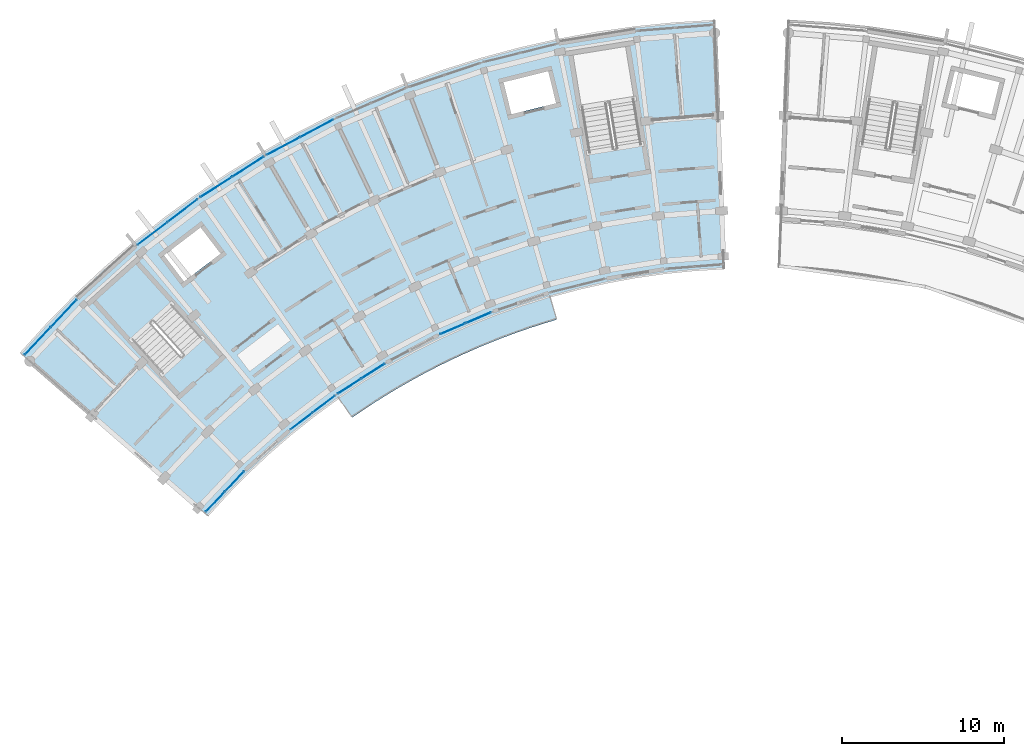
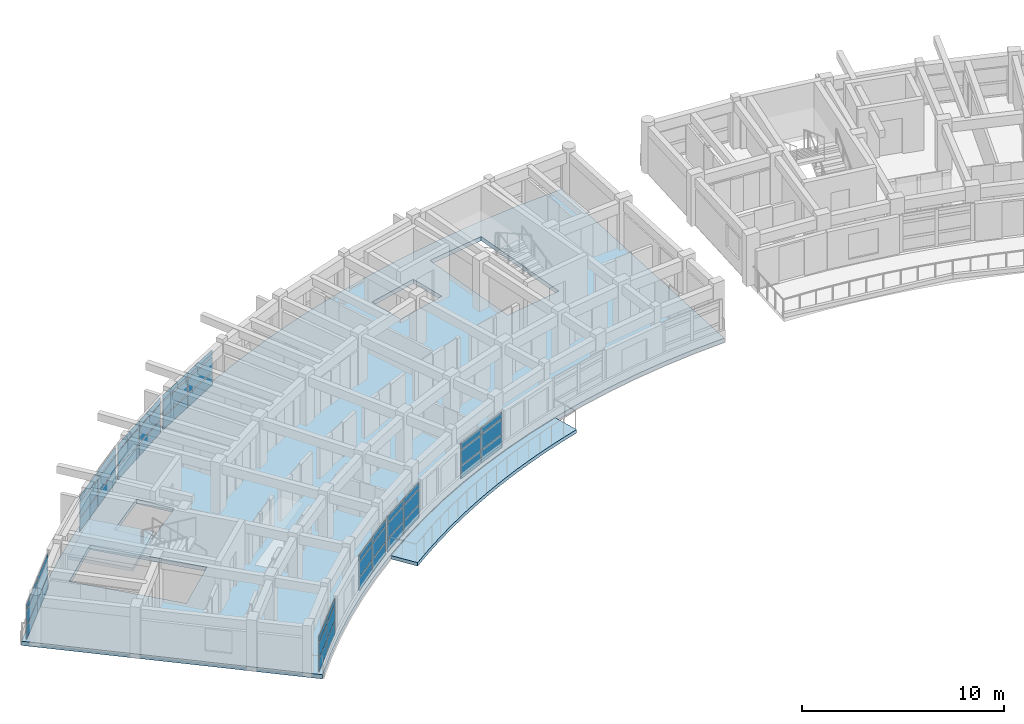
# One storey, part 15 of 38: 48 plates, 3 slabs, 9 elements without a shape of their own.
"""IFC4 building model written with IfcOpenShell, lengths in metres."""

from ifc_helpers import new_model, si_unit, direction, frame, origin, origin_2d, place, context, subcontext, project, spatial, polyline, rectangle, outline, extrude, material, layer, layer_set, type_object, element, aggregate, save


model = new_model("IFC4")

# Units and contexts
model_context = context("Model", 3, precision=1e-05, world=origin(), true_north=direction((0.0, 1.0)))
body_context = subcontext(model_context, "Body", "Model", "MODEL_VIEW")
ifc_project = project(units=[si_unit("LENGTHUNIT", "METRE"), si_unit("AREAUNIT", "SQUARE_METRE"), si_unit("VOLUMEUNIT", "CUBIC_METRE"), si_unit("PLANEANGLEUNIT", "RADIAN"), si_unit("MASSUNIT", "GRAM", prefix="KILO")], contexts=[model_context])

# Site, building, storey
site_placement = place(None, origin())
site = spatial("IfcSite", under=ifc_project, at=site_placement, CompositionType="ELEMENT")
building_placement = place(site_placement, origin())
building = spatial("IfcBuilding", under=site, at=building_placement, Name="Zimvara Arc Housing Community", CompositionType="ELEMENT")
storey_placement = place(building_placement, frame((0.0, 0.0, 29.800048828125)))
storey = spatial("IfcBuildingStorey", under=building, at=storey_placement, Name="L09", CompositionType="ELEMENT", Elevation=29.800048828125)

# Curtain wall, plates
ifc_material_1 = material(Name="Anodised Aluminium AW-6063", Category="aluminium")
curtain_wall_type_1 = type_object("IfcCurtainWallType", Name="CW-SYS-04", PredefinedType="USERDEFINED", material=ifc_material_1)
curtain_wall_1_placement = place(storey_placement, origin())
curtain_wall_1 = element("IfcCurtainWall", 1, at=curtain_wall_1_placement, inside=storey, type_object=curtain_wall_type_1, Name="cw:blkA:L09:in:b0", ObjectType="CURTAIN WALL", PredefinedType="USERDEFINED")
ifc_material_2 = material(Name="Pale-Gold Anodised Aluminium Spandrel Panel", Category="aluminium")
ifc_layer_1 = layer(ifc_material_2, 0.035888671875)
ifc_layer_set_1 = layer_set([ifc_layer_1], Name="Pale-Gold Anodised Aluminium Spandrel Panel")
plate_type_1 = type_object("IfcPlateType", Name="CWP-GLD-36", PredefinedType="CURTAIN_PANEL", material=ifc_layer_set_1)
plate_1_placement = place(storey_placement, frame((11.981689453125, 74.469482421875, 0.06494140625), z_axis=(0.0, 0.0, 1.0), x_axis=(0.686326805658, 0.727293280483, 0.0)))
plate_1 = element("IfcPlate", 2, at=plate_1_placement, type_object=plate_type_1, Name="CW04 panel 1.1", PredefinedType="CURTAIN_PANEL", context=body_context, shape_type="SweptSolid", body=[
    extrude(rectangle(XDim=1.664306640625, YDim=0.035888671875, at=origin_2d()), origin(), (0.0, 0.0, 1.0), 0.75244140625),
])
plate_2_placement = place(storey_placement, frame((11.981689453125, 74.469482421875, 0.88232421875), z_axis=(0.0, 0.0, 1.0), x_axis=(0.686326805658, 0.727293280483, 0.0)))
plate_2 = element("IfcPlate", 3, at=plate_2_placement, type_object=plate_type_1, Name="CW04 panel 1.2", PredefinedType="CURTAIN_PANEL", context=body_context, shape_type="SweptSolid", body=[
    extrude(rectangle(XDim=1.664306640625, YDim=0.035888671875, at=origin_2d()), origin(), (0.0, 0.0, 1.0), 0.885009765625),
])
plate_3_placement = place(storey_placement, frame((11.981689453125, 74.469482421875, 1.83251953125), z_axis=(0.0, 0.0, 1.0), x_axis=(0.686326805658, 0.727293280483, 0.0)))
plate_3 = element("IfcPlate", 4, at=plate_3_placement, type_object=plate_type_1, Name="CW04 panel 1.3", PredefinedType="CURTAIN_PANEL", context=body_context, shape_type="SweptSolid", body=[
    extrude(rectangle(XDim=1.664306640625, YDim=0.035888671875, at=origin_2d()), origin(), (0.0, 0.0, 1.0), 0.3525390625),
])
plate_4_placement = place(storey_placement, frame((13.168701171875, 75.727294921875, 0.06494140625), z_axis=(0.0, 0.0, 1.0), x_axis=(0.686326805658, 0.727293280483, 0.0)))
plate_4 = element("IfcPlate", 5, at=plate_4_placement, type_object=plate_type_1, Name="CW04 panel 2.1", PredefinedType="CURTAIN_PANEL", context=body_context, shape_type="SweptSolid", body=[
    extrude(rectangle(XDim=1.664306640625, YDim=0.035888671875, at=origin_2d()), origin(), (0.0, 0.0, 1.0), 0.75244140625),
])
plate_5_placement = place(storey_placement, frame((13.168701171875, 75.727294921875, 0.88232421875), z_axis=(0.0, 0.0, 1.0), x_axis=(0.686326805658, 0.727293280483, 0.0)))
plate_5 = element("IfcPlate", 6, at=plate_5_placement, type_object=plate_type_1, Name="CW04 panel 2.2", PredefinedType="CURTAIN_PANEL", context=body_context, shape_type="SweptSolid", body=[
    extrude(rectangle(XDim=1.664306640625, YDim=0.035888671875, at=origin_2d()), origin(), (0.0, 0.0, 1.0), 0.885009765625),
])
plate_6_placement = place(storey_placement, frame((13.168701171875, 75.727294921875, 1.83251953125), z_axis=(0.0, 0.0, 1.0), x_axis=(0.686326805658, 0.727293280483, 0.0)))
plate_6 = element("IfcPlate", 7, at=plate_6_placement, type_object=plate_type_1, Name="CW04 panel 2.3", PredefinedType="CURTAIN_PANEL", context=body_context, shape_type="SweptSolid", body=[
    extrude(rectangle(XDim=1.664306640625, YDim=0.035888671875, at=origin_2d()), origin(), (0.0, 0.0, 1.0), 0.3525390625),
])
aggregate(curtain_wall_1, [plate_1, plate_2, plate_3, plate_4, plate_5, plate_6])

ifc_material_3 = material(Name="Anodised Aluminium AW-6063", Category="aluminium")
curtain_wall_type_2 = type_object("IfcCurtainWallType", Name="CW-SYS-08", PredefinedType="USERDEFINED", material=ifc_material_3)
curtain_wall_2_placement = place(storey_placement, origin())
curtain_wall_2 = element("IfcCurtainWall", 8, at=curtain_wall_2_placement, inside=storey, type_object=curtain_wall_type_2, Name="cw:blkA:L09:in:b3", ObjectType="CURTAIN WALL", PredefinedType="USERDEFINED")
plate_7_placement = place(storey_placement, frame((20.23876953125, 81.58447265625, 0.06494140625), z_axis=(0.0, 0.0, 1.0), x_axis=(0.842264751752, 0.539064085203, 0.0)))
plate_7 = element("IfcPlate", 9, at=plate_7_placement, type_object=plate_type_1, Name="CW08 panel 1.1", PredefinedType="CURTAIN_PANEL", context=body_context, shape_type="SweptSolid", body=[
    extrude(rectangle(XDim=1.664306640625, YDim=0.035888671875, at=origin_2d()), origin(), (0.0, 0.0, 1.0), 0.75244140625),
])
plate_8_placement = place(storey_placement, frame((20.23876953125, 81.58447265625, 0.88232421875), z_axis=(0.0, 0.0, 1.0), x_axis=(0.842264751752, 0.539064085203, 0.0)))
plate_8 = element("IfcPlate", 10, at=plate_8_placement, type_object=plate_type_1, Name="CW08 panel 1.2", PredefinedType="CURTAIN_PANEL", context=body_context, shape_type="SweptSolid", body=[
    extrude(rectangle(XDim=1.664306640625, YDim=0.035888671875, at=origin_2d()), origin(), (0.0, 0.0, 1.0), 0.885009765625),
])
plate_9_placement = place(storey_placement, frame((20.23876953125, 81.58447265625, 1.83251953125), z_axis=(0.0, 0.0, 1.0), x_axis=(0.842264751752, 0.539064085203, 0.0)))
plate_9 = element("IfcPlate", 11, at=plate_9_placement, type_object=plate_type_1, Name="CW08 panel 1.3", PredefinedType="CURTAIN_PANEL", context=body_context, shape_type="SweptSolid", body=[
    extrude(rectangle(XDim=1.664306640625, YDim=0.035888671875, at=origin_2d()), origin(), (0.0, 0.0, 1.0), 0.3525390625),
])
plate_10_placement = place(storey_placement, frame((21.6953125, 82.5166015625, 0.06494140625), z_axis=(0.0, 0.0, 1.0), x_axis=(0.842264751752, 0.539064085203, 0.0)))
plate_10 = element("IfcPlate", 12, at=plate_10_placement, type_object=plate_type_1, Name="CW08 panel 2.1", PredefinedType="CURTAIN_PANEL", context=body_context, shape_type="SweptSolid", body=[
    extrude(rectangle(XDim=1.664306640625, YDim=0.035888671875, at=origin_2d()), origin(), (0.0, 0.0, 1.0), 0.75244140625),
])
plate_11_placement = place(storey_placement, frame((21.6953125, 82.5166015625, 0.88232421875), z_axis=(0.0, 0.0, 1.0), x_axis=(0.842264751752, 0.539064085203, 0.0)))
plate_11 = element("IfcPlate", 13, at=plate_11_placement, type_object=plate_type_1, Name="CW08 panel 2.2", PredefinedType="CURTAIN_PANEL", context=body_context, shape_type="SweptSolid", body=[
    extrude(rectangle(XDim=1.664306640625, YDim=0.035888671875, at=origin_2d()), origin(), (0.0, 0.0, 1.0), 0.885009765625),
])
plate_12_placement = place(storey_placement, frame((21.6953125, 82.5166015625, 1.83251953125), z_axis=(0.0, 0.0, 1.0), x_axis=(0.842264751752, 0.539064085203, 0.0)))
plate_12 = element("IfcPlate", 14, at=plate_12_placement, type_object=plate_type_1, Name="CW08 panel 2.3", PredefinedType="CURTAIN_PANEL", context=body_context, shape_type="SweptSolid", body=[
    extrude(rectangle(XDim=1.664306640625, YDim=0.035888671875, at=origin_2d()), origin(), (0.0, 0.0, 1.0), 0.3525390625),
])
aggregate(curtain_wall_2, [plate_7, plate_8, plate_9, plate_10, plate_11, plate_12])

ifc_material_4 = material(Name="Anodised Aluminium AW-6063", Category="aluminium")
curtain_wall_type_3 = type_object("IfcCurtainWallType", Name="CW-SYS-05", PredefinedType="USERDEFINED", material=ifc_material_4)
curtain_wall_3_placement = place(storey_placement, origin())
curtain_wall_3 = element("IfcCurtainWall", 15, at=curtain_wall_3_placement, inside=storey, type_object=curtain_wall_type_3, Name="cw:blkA:L09:out:b2", ObjectType="CURTAIN WALL", PredefinedType="USERDEFINED")
ifc_material_5 = material(Name="Solar Control Low-E Double Glazing", Category="glass")
ifc_layer_2 = layer(ifc_material_5, 0.02392578125)
ifc_layer_set_2 = layer_set([ifc_layer_2], Name="Solar Control Low-E Double Glazing")
plate_type_2 = type_object("IfcPlateType", Name="CWP-GLZ-24", PredefinedType="CURTAIN_PANEL", material=ifc_layer_set_2)
plate_13_placement = place(storey_placement, frame((8.118896484375, 90.9892578125, 0.06494140625), z_axis=(0.0, 0.0, 1.0), x_axis=(0.795473999177, 0.60598771987, 0.0)))
plate_13 = element("IfcPlate", 16, at=plate_13_placement, type_object=plate_type_2, Name="CW05 panel 1.1", PredefinedType="CURTAIN_PANEL", context=body_context, shape_type="SweptSolid", body=[
    extrude(rectangle(XDim=2.266845703125, YDim=0.02392578125, at=origin_2d()), origin(), (0.0, 0.0, 1.0), 0.75244140625),
])
plate_14_placement = place(storey_placement, frame((8.118896484375, 90.9892578125, 0.88232421875), z_axis=(0.0, 0.0, 1.0), x_axis=(0.795473999177, 0.60598771987, 0.0)))
plate_14 = element("IfcPlate", 17, at=plate_14_placement, type_object=plate_type_2, Name="CW05 panel 1.2", PredefinedType="CURTAIN_PANEL", context=body_context, shape_type="SweptSolid", body=[
    extrude(rectangle(XDim=2.266845703125, YDim=0.02392578125, at=origin_2d()), origin(), (0.0, 0.0, 1.0), 0.885009765625),
])
plate_15_placement = place(storey_placement, frame((8.118896484375, 90.9892578125, 1.83251953125), z_axis=(0.0, 0.0, 1.0), x_axis=(0.795473999177, 0.60598771987, 0.0)))
plate_15 = element("IfcPlate", 18, at=plate_15_placement, type_object=plate_type_2, Name="CW05 panel 1.3", PredefinedType="CURTAIN_PANEL", context=body_context, shape_type="SweptSolid", body=[
    extrude(rectangle(XDim=2.266845703125, YDim=0.02392578125, at=origin_2d()), origin(), (0.0, 0.0, 1.0), 0.3525390625),
])
plate_16_placement = place(storey_placement, frame((9.973876953125, 92.40234375, 0.06494140625), z_axis=(0.0, 0.0, 1.0), x_axis=(0.795473999177, 0.60598771987, 0.0)))
plate_16 = element("IfcPlate", 19, at=plate_16_placement, type_object=plate_type_2, Name="CW05 panel 2.1", PredefinedType="CURTAIN_PANEL", context=body_context, shape_type="SweptSolid", body=[
    extrude(rectangle(XDim=2.266845703125, YDim=0.02392578125, at=origin_2d()), origin(), (0.0, 0.0, 1.0), 0.75244140625),
])
plate_17_placement = place(storey_placement, frame((9.973876953125, 92.40234375, 0.88232421875), z_axis=(0.0, 0.0, 1.0), x_axis=(0.795473999177, 0.60598771987, 0.0)))
plate_17 = element("IfcPlate", 20, at=plate_17_placement, type_object=plate_type_2, Name="CW05 panel 2.2", PredefinedType="CURTAIN_PANEL", context=body_context, shape_type="SweptSolid", body=[
    extrude(rectangle(XDim=2.266845703125, YDim=0.02392578125, at=origin_2d()), origin(), (0.0, 0.0, 1.0), 0.885009765625),
])
plate_18_placement = place(storey_placement, frame((9.973876953125, 92.40234375, 1.83251953125), z_axis=(0.0, 0.0, 1.0), x_axis=(0.795473999177, 0.60598771987, 0.0)))
plate_18 = element("IfcPlate", 21, at=plate_18_placement, type_object=plate_type_2, Name="CW05 panel 2.3", PredefinedType="CURTAIN_PANEL", context=body_context, shape_type="SweptSolid", body=[
    extrude(rectangle(XDim=2.266845703125, YDim=0.02392578125, at=origin_2d()), origin(), (0.0, 0.0, 1.0), 0.3525390625),
])
aggregate(curtain_wall_3, [plate_13, plate_14, plate_15, plate_16, plate_17, plate_18])

ifc_material_6 = material(Name="Anodised Aluminium AW-6063", Category="aluminium")
curtain_wall_type_4 = type_object("IfcCurtainWallType", Name="CW-SYS-01", PredefinedType="USERDEFINED", material=ifc_material_6)
curtain_wall_4_placement = place(storey_placement, origin())
curtain_wall_4 = element("IfcCurtainWall", 22, at=curtain_wall_4_placement, inside=storey, type_object=curtain_wall_type_4, Name="cw:blkA:L09:out:b4", ObjectType="CURTAIN WALL", PredefinedType="USERDEFINED")
plate_19_placement = place(storey_placement, frame((16.1708984375, 96.36865234375, 0.06494140625), z_axis=(0.0, 0.0, 1.0), x_axis=(0.883438614651, 0.468546917761, 0.0)))
plate_19 = element("IfcPlate", 23, at=plate_19_placement, type_object=plate_type_2, Name="CW01 panel 1.1", PredefinedType="CURTAIN_PANEL", context=body_context, shape_type="SweptSolid", body=[
    extrude(rectangle(XDim=2.266845703125, YDim=0.02392578125, at=origin_2d()), origin(), (0.0, 0.0, 1.0), 0.75244140625),
])
plate_20_placement = place(storey_placement, frame((16.1708984375, 96.36865234375, 0.88232421875), z_axis=(0.0, 0.0, 1.0), x_axis=(0.883438614651, 0.468546917761, 0.0)))
plate_20 = element("IfcPlate", 24, at=plate_20_placement, type_object=plate_type_2, Name="CW01 panel 1.2", PredefinedType="CURTAIN_PANEL", context=body_context, shape_type="SweptSolid", body=[
    extrude(rectangle(XDim=2.266845703125, YDim=0.02392578125, at=origin_2d()), origin(), (0.0, 0.0, 1.0), 0.885009765625),
])
plate_21_placement = place(storey_placement, frame((16.1708984375, 96.36865234375, 1.83251953125), z_axis=(0.0, 0.0, 1.0), x_axis=(0.883438614651, 0.468546917761, 0.0)))
plate_21 = element("IfcPlate", 25, at=plate_21_placement, type_object=plate_type_2, Name="CW01 panel 1.3", PredefinedType="CURTAIN_PANEL", context=body_context, shape_type="SweptSolid", body=[
    extrude(rectangle(XDim=2.266845703125, YDim=0.02392578125, at=origin_2d()), origin(), (0.0, 0.0, 1.0), 0.3525390625),
])
plate_22_placement = place(storey_placement, frame((18.23095703125, 97.461181640625, 0.06494140625), z_axis=(0.0, 0.0, 1.0), x_axis=(0.883438614651, 0.468546917761, 0.0)))
plate_22 = element("IfcPlate", 26, at=plate_22_placement, type_object=plate_type_2, Name="CW01 panel 2.1", PredefinedType="CURTAIN_PANEL", context=body_context, shape_type="SweptSolid", body=[
    extrude(rectangle(XDim=2.266845703125, YDim=0.02392578125, at=origin_2d()), origin(), (0.0, 0.0, 1.0), 0.75244140625),
])
plate_23_placement = place(storey_placement, frame((18.23095703125, 97.461181640625, 0.88232421875), z_axis=(0.0, 0.0, 1.0), x_axis=(0.883438614651, 0.468546917761, 0.0)))
plate_23 = element("IfcPlate", 27, at=plate_23_placement, type_object=plate_type_2, Name="CW01 panel 2.2", PredefinedType="CURTAIN_PANEL", context=body_context, shape_type="SweptSolid", body=[
    extrude(rectangle(XDim=2.266845703125, YDim=0.02392578125, at=origin_2d()), origin(), (0.0, 0.0, 1.0), 0.885009765625),
])
plate_24_placement = place(storey_placement, frame((18.23095703125, 97.461181640625, 1.83251953125), z_axis=(0.0, 0.0, 1.0), x_axis=(0.883438614651, 0.468546917761, 0.0)))
plate_24 = element("IfcPlate", 28, at=plate_24_placement, type_object=plate_type_2, Name="CW01 panel 2.3", PredefinedType="CURTAIN_PANEL", context=body_context, shape_type="SweptSolid", body=[
    extrude(rectangle(XDim=2.266845703125, YDim=0.02392578125, at=origin_2d()), origin(), (0.0, 0.0, 1.0), 0.3525390625),
])
aggregate(curtain_wall_4, [plate_19, plate_20, plate_21, plate_22, plate_23, plate_24])

ifc_material_7 = material(Name="Anodised Aluminium AW-6063", Category="aluminium")
curtain_wall_type_5 = type_object("IfcCurtainWallType", Name="CW-SYS-06", PredefinedType="USERDEFINED", material=ifc_material_7)
curtain_wall_5_placement = place(storey_placement, origin())
curtain_wall_5 = element("IfcCurtainWall", 29, at=curtain_wall_5_placement, inside=storey, type_object=curtain_wall_type_5, Name="cw:blkA:L09:in:b2", ObjectType="CURTAIN WALL", PredefinedType="USERDEFINED")
ifc_material_8 = material(Name="Solar Control Low-E Double Glazing", Category="glass")
ifc_layer_3 = layer(ifc_material_8, 0.028076171875)
ifc_layer_set_3 = layer_set([ifc_layer_3], Name="Solar Control Low-E Double Glazing")
plate_type_3 = type_object("IfcPlateType", Name="CWP-GLZ-28", PredefinedType="CURTAIN_PANEL", material=ifc_layer_set_3)
plate_25_placement = place(storey_placement, frame((17.295654296875, 79.4404296875, 0.06494140625), z_axis=(0.0, 0.0, 1.0), x_axis=(0.795473543119, 0.605988318533, 0.0)))
plate_25 = element("IfcPlate", 30, at=plate_25_placement, type_object=plate_type_3, Name="CW06 panel 1.1", PredefinedType="CURTAIN_PANEL", context=body_context, shape_type="SweptSolid", body=[
    extrude(rectangle(XDim=1.664306640625, YDim=0.028076171875, at=origin_2d()), origin(), (0.0, 0.0, 1.0), 0.75244140625),
])
plate_26_placement = place(storey_placement, frame((17.295654296875, 79.4404296875, 0.88232421875), z_axis=(0.0, 0.0, 1.0), x_axis=(0.795473543119, 0.605988318533, 0.0)))
plate_26 = element("IfcPlate", 31, at=plate_26_placement, type_object=plate_type_3, Name="CW06 panel 1.2", PredefinedType="CURTAIN_PANEL", context=body_context, shape_type="SweptSolid", body=[
    extrude(rectangle(XDim=1.664306640625, YDim=0.028076171875, at=origin_2d()), origin(), (0.0, 0.0, 1.0), 0.885009765625),
])
plate_27_placement = place(storey_placement, frame((17.295654296875, 79.4404296875, 1.83251953125), z_axis=(0.0, 0.0, 1.0), x_axis=(0.795473543119, 0.605988318533, 0.0)))
plate_27 = element("IfcPlate", 32, at=plate_27_placement, type_object=plate_type_3, Name="CW06 panel 1.3", PredefinedType="CURTAIN_PANEL", context=body_context, shape_type="SweptSolid", body=[
    extrude(rectangle(XDim=1.664306640625, YDim=0.028076171875, at=origin_2d()), origin(), (0.0, 0.0, 1.0), 0.3525390625),
])
plate_28_placement = place(storey_placement, frame((18.671142578125, 80.48828125, 0.06494140625), z_axis=(0.0, 0.0, 1.0), x_axis=(0.795473543119, 0.605988318533, 0.0)))
plate_28 = element("IfcPlate", 33, at=plate_28_placement, type_object=plate_type_3, Name="CW06 panel 2.1", PredefinedType="CURTAIN_PANEL", context=body_context, shape_type="SweptSolid", body=[
    extrude(rectangle(XDim=1.664306640625, YDim=0.028076171875, at=origin_2d()), origin(), (0.0, 0.0, 1.0), 0.75244140625),
])
plate_29_placement = place(storey_placement, frame((18.671142578125, 80.48828125, 0.88232421875), z_axis=(0.0, 0.0, 1.0), x_axis=(0.795473543119, 0.605988318533, 0.0)))
plate_29 = element("IfcPlate", 34, at=plate_29_placement, type_object=plate_type_3, Name="CW06 panel 2.2", PredefinedType="CURTAIN_PANEL", context=body_context, shape_type="SweptSolid", body=[
    extrude(rectangle(XDim=1.664306640625, YDim=0.028076171875, at=origin_2d()), origin(), (0.0, 0.0, 1.0), 0.885009765625),
])
plate_30_placement = place(storey_placement, frame((18.671142578125, 80.48828125, 1.83251953125), z_axis=(0.0, 0.0, 1.0), x_axis=(0.795473543119, 0.605988318533, 0.0)))
plate_30 = element("IfcPlate", 35, at=plate_30_placement, type_object=plate_type_3, Name="CW06 panel 2.3", PredefinedType="CURTAIN_PANEL", context=body_context, shape_type="SweptSolid", body=[
    extrude(rectangle(XDim=1.664306640625, YDim=0.028076171875, at=origin_2d()), origin(), (0.0, 0.0, 1.0), 0.3525390625),
])
aggregate(curtain_wall_5, [plate_25, plate_26, plate_27, plate_28, plate_29, plate_30])

ifc_material_9 = material(Name="Anodised Aluminium AW-6063", Category="aluminium")
curtain_wall_type_6 = type_object("IfcCurtainWallType", Name="CW-SYS-03", PredefinedType="USERDEFINED", material=ifc_material_9)
curtain_wall_6_placement = place(storey_placement, origin())
curtain_wall_6 = element("IfcCurtainWall", 36, at=curtain_wall_6_placement, inside=storey, type_object=curtain_wall_type_6, Name="cw:blkA:L09:out:b0", ObjectType="CURTAIN WALL", PredefinedType="USERDEFINED")
ifc_material_10 = material(Name="Acoustic Laminated Solar Glazing", Category="glass")
ifc_layer_4 = layer(ifc_material_10, 0.031982421875)
ifc_layer_set_4 = layer_set([ifc_layer_4], Name="Acoustic Laminated Solar Glazing")
plate_type_4 = type_object("IfcPlateType", Name="CWP-GLZ-32", PredefinedType="CURTAIN_PANEL", material=ifc_layer_set_4)
plate_31_placement = place(storey_placement, frame((1.049072265625, 84.3720703125, 0.06494140625), z_axis=(0.0, 0.0, 1.0), x_axis=(0.686326416495, 0.727293647725, 0.0)))
plate_31 = element("IfcPlate", 37, at=plate_31_placement, type_object=plate_type_4, Name="CW03 panel 1.1", PredefinedType="CURTAIN_PANEL", context=body_context, shape_type="SweptSolid", body=[
    extrude(rectangle(XDim=2.266845703125, YDim=0.031982421875, at=origin_2d()), origin(), (0.0, 0.0, 1.0), 0.75244140625),
])
plate_32_placement = place(storey_placement, frame((1.049072265625, 84.3720703125, 0.88232421875), z_axis=(0.0, 0.0, 1.0), x_axis=(0.686326416495, 0.727293647725, 0.0)))
plate_32 = element("IfcPlate", 38, at=plate_32_placement, type_object=plate_type_4, Name="CW03 panel 1.2", PredefinedType="CURTAIN_PANEL", context=body_context, shape_type="SweptSolid", body=[
    extrude(rectangle(XDim=2.266845703125, YDim=0.031982421875, at=origin_2d()), origin(), (0.0, 0.0, 1.0), 0.885009765625),
])
plate_33_placement = place(storey_placement, frame((1.049072265625, 84.3720703125, 1.83251953125), z_axis=(0.0, 0.0, 1.0), x_axis=(0.686326416495, 0.727293647725, 0.0)))
plate_33 = element("IfcPlate", 39, at=plate_33_placement, type_object=plate_type_4, Name="CW03 panel 1.3", PredefinedType="CURTAIN_PANEL", context=body_context, shape_type="SweptSolid", body=[
    extrude(rectangle(XDim=2.266845703125, YDim=0.031982421875, at=origin_2d()), origin(), (0.0, 0.0, 1.0), 0.3525390625),
])
plate_34_placement = place(storey_placement, frame((2.649658203125, 86.068115234375, 0.06494140625), z_axis=(0.0, 0.0, 1.0), x_axis=(0.686326416495, 0.727293647725, 0.0)))
plate_34 = element("IfcPlate", 40, at=plate_34_placement, type_object=plate_type_4, Name="CW03 panel 2.1", PredefinedType="CURTAIN_PANEL", context=body_context, shape_type="SweptSolid", body=[
    extrude(rectangle(XDim=2.266845703125, YDim=0.031982421875, at=origin_2d()), origin(), (0.0, 0.0, 1.0), 0.75244140625),
])
plate_35_placement = place(storey_placement, frame((2.649658203125, 86.068115234375, 0.88232421875), z_axis=(0.0, 0.0, 1.0), x_axis=(0.686326416495, 0.727293647725, 0.0)))
plate_35 = element("IfcPlate", 41, at=plate_35_placement, type_object=plate_type_4, Name="CW03 panel 2.2", PredefinedType="CURTAIN_PANEL", context=body_context, shape_type="SweptSolid", body=[
    extrude(rectangle(XDim=2.266845703125, YDim=0.031982421875, at=origin_2d()), origin(), (0.0, 0.0, 1.0), 0.885009765625),
])
plate_36_placement = place(storey_placement, frame((2.649658203125, 86.068115234375, 1.83251953125), z_axis=(0.0, 0.0, 1.0), x_axis=(0.686326416495, 0.727293647725, 0.0)))
plate_36 = element("IfcPlate", 42, at=plate_36_placement, type_object=plate_type_4, Name="CW03 panel 2.3", PredefinedType="CURTAIN_PANEL", context=body_context, shape_type="SweptSolid", body=[
    extrude(rectangle(XDim=2.266845703125, YDim=0.031982421875, at=origin_2d()), origin(), (0.0, 0.0, 1.0), 0.3525390625),
])
aggregate(curtain_wall_6, [plate_31, plate_32, plate_33, plate_34, plate_35, plate_36])

ifc_material_11 = material(Name="Anodised Aluminium AW-6063", Category="aluminium")
curtain_wall_type_7 = type_object("IfcCurtainWallType", Name="CW-SYS-07", PredefinedType="USERDEFINED", material=ifc_material_11)
curtain_wall_7_placement = place(storey_placement, origin())
curtain_wall_7 = element("IfcCurtainWall", 43, at=curtain_wall_7_placement, inside=storey, type_object=curtain_wall_type_7, Name="cw:blkA:L09:out:b3", ObjectType="CURTAIN WALL", PredefinedType="USERDEFINED")
plate_37_placement = place(storey_placement, frame((12.034912109375, 93.843505859375, 0.06494140625), z_axis=(0.0, 0.0, 1.0), x_axis=(0.842264410931, 0.539064617721, 0.0)))
plate_37 = element("IfcPlate", 44, at=plate_37_placement, type_object=plate_type_4, Name="CW07 panel 1.1", PredefinedType="CURTAIN_PANEL", context=body_context, shape_type="SweptSolid", body=[
    extrude(rectangle(XDim=2.266845703125, YDim=0.031982421875, at=origin_2d()), origin(), (0.0, 0.0, 1.0), 0.75244140625),
])
plate_38_placement = place(storey_placement, frame((12.034912109375, 93.843505859375, 0.88232421875), z_axis=(0.0, 0.0, 1.0), x_axis=(0.842264410931, 0.539064617721, 0.0)))
plate_38 = element("IfcPlate", 45, at=plate_38_placement, type_object=plate_type_4, Name="CW07 panel 1.2", PredefinedType="CURTAIN_PANEL", context=body_context, shape_type="SweptSolid", body=[
    extrude(rectangle(XDim=2.266845703125, YDim=0.031982421875, at=origin_2d()), origin(), (0.0, 0.0, 1.0), 0.885009765625),
])
plate_39_placement = place(storey_placement, frame((12.034912109375, 93.843505859375, 1.83251953125), z_axis=(0.0, 0.0, 1.0), x_axis=(0.842264410931, 0.539064617721, 0.0)))
plate_39 = element("IfcPlate", 46, at=plate_39_placement, type_object=plate_type_4, Name="CW07 panel 1.3", PredefinedType="CURTAIN_PANEL", context=body_context, shape_type="SweptSolid", body=[
    extrude(rectangle(XDim=2.266845703125, YDim=0.031982421875, at=origin_2d()), origin(), (0.0, 0.0, 1.0), 0.3525390625),
])
plate_40_placement = place(storey_placement, frame((13.9990234375, 95.1005859375, 0.06494140625), z_axis=(0.0, 0.0, 1.0), x_axis=(0.842264410931, 0.539064617721, 0.0)))
plate_40 = element("IfcPlate", 47, at=plate_40_placement, type_object=plate_type_4, Name="CW07 panel 2.1", PredefinedType="CURTAIN_PANEL", context=body_context, shape_type="SweptSolid", body=[
    extrude(rectangle(XDim=2.266845703125, YDim=0.031982421875, at=origin_2d()), origin(), (0.0, 0.0, 1.0), 0.75244140625),
])
plate_41_placement = place(storey_placement, frame((13.9990234375, 95.1005859375, 0.88232421875), z_axis=(0.0, 0.0, 1.0), x_axis=(0.842264410931, 0.539064617721, 0.0)))
plate_41 = element("IfcPlate", 48, at=plate_41_placement, type_object=plate_type_4, Name="CW07 panel 2.2", PredefinedType="CURTAIN_PANEL", context=body_context, shape_type="SweptSolid", body=[
    extrude(rectangle(XDim=2.266845703125, YDim=0.031982421875, at=origin_2d()), origin(), (0.0, 0.0, 1.0), 0.885009765625),
])
plate_42_placement = place(storey_placement, frame((13.9990234375, 95.1005859375, 1.83251953125), z_axis=(0.0, 0.0, 1.0), x_axis=(0.842264410931, 0.539064617721, 0.0)))
plate_42 = element("IfcPlate", 49, at=plate_42_placement, type_object=plate_type_4, Name="CW07 panel 2.3", PredefinedType="CURTAIN_PANEL", context=body_context, shape_type="SweptSolid", body=[
    extrude(rectangle(XDim=2.266845703125, YDim=0.031982421875, at=origin_2d()), origin(), (0.0, 0.0, 1.0), 0.3525390625),
])
aggregate(curtain_wall_7, [plate_37, plate_38, plate_39, plate_40, plate_41, plate_42])

curtain_wall_8_placement = place(storey_placement, origin())
curtain_wall_8 = element("IfcCurtainWall", 50, at=curtain_wall_8_placement, inside=storey, type_object=curtain_wall_type_6, Name="cw:blkA:L09:in:b5", ObjectType="CURTAIN WALL", PredefinedType="USERDEFINED")
plate_43_placement = place(storey_placement, frame((26.599609375, 85.11767578125, 0.06494140625), z_axis=(0.0, 0.0, 1.0), x_axis=(0.918722178415, 0.394904493375, 0.0)))
plate_43 = element("IfcPlate", 51, at=plate_43_placement, type_object=plate_type_4, Name="CW03 panel 1.1", PredefinedType="CURTAIN_PANEL", context=body_context, shape_type="SweptSolid", body=[
    extrude(rectangle(XDim=1.664306640625, YDim=0.031982421875, at=origin_2d()), origin(), (0.0, 0.0, 1.0), 0.75244140625),
])
plate_44_placement = place(storey_placement, frame((26.599609375, 85.11767578125, 0.88232421875), z_axis=(0.0, 0.0, 1.0), x_axis=(0.918722178415, 0.394904493375, 0.0)))
plate_44 = element("IfcPlate", 52, at=plate_44_placement, type_object=plate_type_4, Name="CW03 panel 1.2", PredefinedType="CURTAIN_PANEL", context=body_context, shape_type="SweptSolid", body=[
    extrude(rectangle(XDim=1.664306640625, YDim=0.031982421875, at=origin_2d()), origin(), (0.0, 0.0, 1.0), 0.885009765625),
])
plate_45_placement = place(storey_placement, frame((26.599609375, 85.11767578125, 1.83251953125), z_axis=(0.0, 0.0, 1.0), x_axis=(0.918722178415, 0.394904493375, 0.0)))
plate_45 = element("IfcPlate", 53, at=plate_45_placement, type_object=plate_type_4, Name="CW03 panel 1.3", PredefinedType="CURTAIN_PANEL", context=body_context, shape_type="SweptSolid", body=[
    extrude(rectangle(XDim=1.664306640625, YDim=0.031982421875, at=origin_2d()), origin(), (0.0, 0.0, 1.0), 0.3525390625),
])
plate_46_placement = place(storey_placement, frame((28.1884765625, 85.80078125, 0.06494140625), z_axis=(0.0, 0.0, 1.0), x_axis=(0.918722178415, 0.394904493375, 0.0)))
plate_46 = element("IfcPlate", 54, at=plate_46_placement, type_object=plate_type_4, Name="CW03 panel 2.1", PredefinedType="CURTAIN_PANEL", context=body_context, shape_type="SweptSolid", body=[
    extrude(rectangle(XDim=1.664306640625, YDim=0.031982421875, at=origin_2d()), origin(), (0.0, 0.0, 1.0), 0.75244140625),
])
plate_47_placement = place(storey_placement, frame((28.1884765625, 85.80078125, 0.88232421875), z_axis=(0.0, 0.0, 1.0), x_axis=(0.918722178415, 0.394904493375, 0.0)))
plate_47 = element("IfcPlate", 55, at=plate_47_placement, type_object=plate_type_4, Name="CW03 panel 2.2", PredefinedType="CURTAIN_PANEL", context=body_context, shape_type="SweptSolid", body=[
    extrude(rectangle(XDim=1.664306640625, YDim=0.031982421875, at=origin_2d()), origin(), (0.0, 0.0, 1.0), 0.885009765625),
])
plate_48_placement = place(storey_placement, frame((28.1884765625, 85.80078125, 1.83251953125), z_axis=(0.0, 0.0, 1.0), x_axis=(0.918722178415, 0.394904493375, 0.0)))
plate_48 = element("IfcPlate", 56, at=plate_48_placement, type_object=plate_type_4, Name="CW03 panel 2.3", PredefinedType="CURTAIN_PANEL", context=body_context, shape_type="SweptSolid", body=[
    extrude(rectangle(XDim=1.664306640625, YDim=0.031982421875, at=origin_2d()), origin(), (0.0, 0.0, 1.0), 0.3525390625),
])
aggregate(curtain_wall_8, [plate_43, plate_44, plate_45, plate_46, plate_47, plate_48])

# Stair, slab
ifc_material_12 = material(Name="Concrete C35/45", Category="concrete")
stair_type = type_object("IfcStairType", Name="STR-DL-312-310", PredefinedType="HALF_TURN_STAIR", material=ifc_material_12)
stair_placement = place(storey_placement, origin())
stair = element("IfcStair", 57, at=stair_placement, inside=storey, type_object=stair_type, Name="L09 Block A Exit Stair 1", PredefinedType="HALF_TURN_STAIR")
ifc_material_13 = material(Name="Concrete C35/45", Category="concrete")
ifc_layer_5 = layer(ifc_material_13, 0.199951171875)
ifc_layer_set_5 = layer_set([ifc_layer_5], Name="Concrete C35/45")
slab_type_1 = type_object("IfcSlabType", Name="SLB-STAIR-LND-200", PredefinedType="LANDING", material=ifc_layer_set_5)
slab_1_placement = place(storey_placement, frame((0.0, 0.0, 1.349853515625)))
slab_1 = element("IfcSlab", 58, at=slab_1_placement, type_object=slab_type_1, Name="ST-A1 landing 1", PredefinedType="LANDING", context=body_context, shape_type="SweptSolid", body=[
    extrude(outline(polyline([(9.3486328125, 86.634521484375), (7.09326171875, 89.14111328125), (4.595458984375, 86.8935546875), (6.850830078125, 84.386962890625), (9.3486328125, 86.634521484375)])), origin(), (0.0, 0.0, 1.0), 0.2001953125),
])
aggregate(stair, [slab_1])

# Slabs
ifc_material_14 = material(Name="Concrete C35/45", Category="concrete")
ifc_layer_6 = layer(ifc_material_14, 0.2099609375)
ifc_layer_set_6 = layer_set([ifc_layer_6], Name="Concrete C35/45")
slab_type_2 = type_object("IfcSlabType", Name="SLB-TER-210", PredefinedType="FLOOR", material=ifc_layer_set_6)
slab_2_placement = place(storey_placement, frame((0.0, 0.0, -0.2099609375)))
element("IfcSlab", 59, at=slab_2_placement, inside=storey, type_object=slab_type_2, Name="slab:blkA:L09:bal_in", PredefinedType="FLOOR", context=body_context, shape_type="SweptSolid", body=[
    extrude(outline(polyline([(32.59130859375, 87.099609375), (30.862548828125, 86.557373046875), (29.156982421875, 85.945068359375), (27.47802734375, 85.263671875), (25.828369140625, 84.514404296875), (24.210693359375, 83.6982421875), (22.62744140625, 82.816650390625), (21.081787109375, 81.871337890625), (19.57568359375, 80.863525390625), (20.418212890625, 79.65869140625), (21.14111328125, 80.1533203125), (21.8740234375, 80.633056640625), (22.61669921875, 81.097900390625), (23.36865234375, 81.547119140625), (24.129638671875, 81.981201171875), (24.8994140625, 82.3994140625), (25.677490234375, 82.802001953125), (26.463623046875, 83.188720703125), (27.25732421875, 83.55908203125), (28.05859375, 83.9130859375), (28.866943359375, 84.2509765625), (29.681884765625, 84.572021484375), (30.50341796875, 84.87646484375), (31.330810546875, 85.1640625), (32.1640625, 85.4345703125), (33.00244140625, 85.688232421875), (32.59130859375, 87.099609375)])), origin(), (0.0, 0.0, 1.0), 0.2099609375),
])
ifc_material_15 = material(Name="Concrete C35/45", Category="concrete")
ifc_layer_7 = layer(ifc_material_15, 0.258056640625)
ifc_layer_set_7 = layer_set([ifc_layer_7], Name="Concrete C35/45")
slab_type_3 = type_object("IfcSlabType", Name="SLB-VAR-10", PredefinedType="FLOOR", material=ifc_layer_set_7)
slab_3_placement = place(storey_placement, frame((0.0, 0.0, -0.258056640625)))
element("IfcSlab", 60, at=slab_3_placement, inside=storey, type_object=slab_type_3, Name="slab:blkA:L09:main", PredefinedType="FLOOR", context=body_context, shape_type="SweptSolid", body=[
    extrude(outline(polyline([(11.490966796875, 73.62890625), (12.708251953125, 74.972900390625), (13.979248046875, 76.265869140625), (15.302001953125, 77.506103515625), (16.674560546875, 78.69091796875), (18.093994140625, 79.819091796875), (19.55859375, 80.88818359375), (21.0654296875, 81.896484375), (22.6123046875, 82.842529296875), (24.196533203125, 83.724609375), (25.8154296875, 84.541259765625), (27.46630859375, 85.291259765625), (29.146240234375, 85.97314453125), (30.852783203125, 86.5859375), (32.5830078125, 87.12841796875), (34.333984375, 87.599853515625), (36.1025390625, 87.999267578125), (37.885986328125, 88.326416015625), (39.681396484375, 88.580322265625), (41.485595703125, 88.7607421875), (43.295654296875, 88.8671875), (42.712158203125, 104.05615234375), (40.282470703125, 103.9130859375), (37.860595703125, 103.6708984375), (35.450439453125, 103.330078125), (33.056640625, 102.89111328125), (30.682373046875, 102.354736328125), (28.332275390625, 101.721923828125), (26.009765625, 100.99365234375), (23.718994140625, 100.171142578125), (21.463623046875, 99.255859375), (19.247802734375, 98.249267578125), (17.07470703125, 97.15283203125), (14.947998046875, 95.96875), (12.871826171875, 94.698974609375), (10.848876953125, 93.34521484375), (8.883056640625, 91.91015625), (6.9775390625, 90.39599609375), (5.13525390625, 88.805419921875), (3.359619140625, 87.140869140625), (1.6533203125, 85.405029296875), (0.019287109375, 83.60107421875), (11.490966796875, 73.62890625)]), holes=[polyline([(8.73193359375, 82.356201171875), (4.65185546875, 86.890625), (7.090087890625, 89.08447265625), (11.17041015625, 84.550048828125), (8.73193359375, 82.356201171875)]), polyline([(34.9853515625, 95.960205078125), (34.008056640625, 101.9814453125), (37.24560546875, 102.507080078125), (38.222900390625, 96.48583984375), (34.9853515625, 95.960205078125)]), polyline([(10.05615234375, 88.02685546875), (8.820068359375, 89.649658203125), (11.0791015625, 91.37060546875), (12.3154296875, 89.747802734375), (10.05615234375, 88.02685546875)]), polyline([(30.216796875, 98.324951171875), (29.726806640625, 100.30517578125), (32.483642578125, 100.9873046875), (32.9736328125, 99.007080078125), (30.216796875, 98.324951171875)])]), origin(), (0.0, 0.0, 1.0), 0.258056640625),
])

save(model, "model.ifc")
